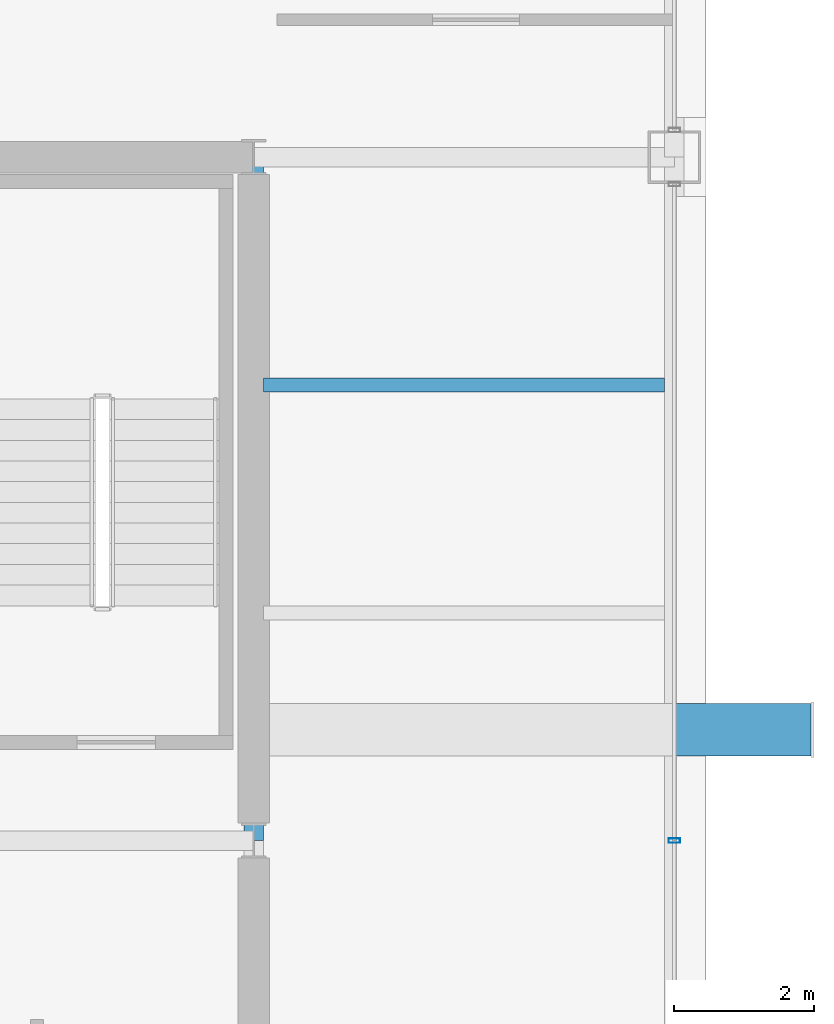
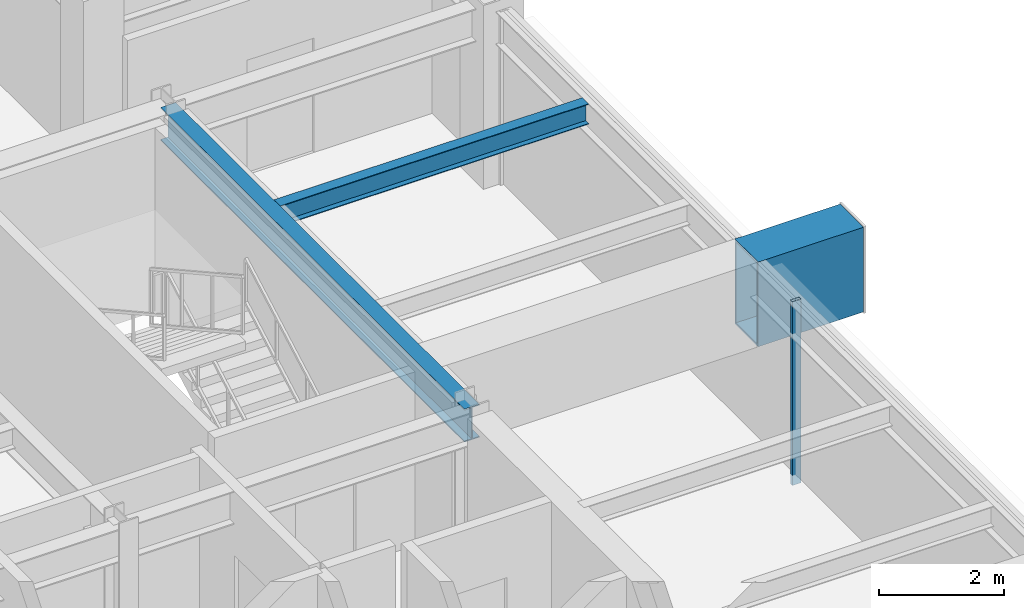
# One storey, part 15 of 26: 3 beams, 1 member, 1 element without a shape of its own.
"""IFC4 building model written with IfcOpenShell, lengths in metres."""

from ifc_helpers import new_model, si_unit, direction, frame, origin, origin_2d, place, context, subcontext, project, spatial, hollow_rectangle, i_section, extrude, material, layer, layer_set, material_profile, profile_set, type_object, element, aggregate, save


model = new_model("IFC4")

# Units and contexts
model_context = context("Model", 3, precision=1e-05, world=origin(), true_north=direction((0.0, 1.0)))
body_context = subcontext(model_context, "Body", "Model", "MODEL_VIEW")
ifc_project = project(units=[si_unit("LENGTHUNIT", "METRE"), si_unit("AREAUNIT", "SQUARE_METRE"), si_unit("VOLUMEUNIT", "CUBIC_METRE"), si_unit("PLANEANGLEUNIT", "RADIAN"), si_unit("MASSUNIT", "GRAM", prefix="KILO")], contexts=[model_context])

# Site, building, storey
site_placement = place(None, origin())
site = spatial("IfcSite", under=ifc_project, at=site_placement, CompositionType="ELEMENT")
building_placement = place(site_placement, origin())
building = spatial("IfcBuilding", under=site, at=building_placement, Name="Brelmoor Portico Tower", CompositionType="ELEMENT")
storey_placement = place(building_placement, frame((0.0, 0.0, 180.300048828125)))
storey = spatial("IfcBuildingStorey", under=building, at=storey_placement, Name="L47", CompositionType="ELEMENT", Elevation=180.300048828125)

# Beams
ifc_material_1 = material(Name="Steel Q355B", Category="steel")
ifc_material_profile_1 = material_profile(ifc_material_1, i_section(OverallWidth=0.199951171875, OverallDepth=0.39990234375, WebThickness=0.008056640625, FlangeThickness=0.012939453125, at=origin_2d()), Name="HN 400x200x8x13")
ifc_profile_set_1 = profile_set([ifc_material_profile_1], Name="Steel Q355B")
beam_type_1 = type_object("IfcBeamType", Name="BM-JS-400", PredefinedType="JOIST", material=ifc_profile_set_1)
beam_1_placement = place(storey_placement, frame((14.68994140625, 6.5, 3.199951171875), z_axis=(1.0, 0.0, 0.0), x_axis=(0.0, 1.0, 0.0)))
element("IfcBeam", 1, at=beam_1_placement, inside=storey, type_object=beam_type_1, Name="L47 Secondary Wing Joist JS-E12", PredefinedType="JOIST", context=body_context, shape_type="SweptSolid", body=[
    extrude(i_section(OverallWidth=0.199951171875, OverallDepth=0.39990234375, WebThickness=0.008056640625, FlangeThickness=0.012939453125, at=origin_2d()), origin(), (0.0, 0.0, 1.0), 5.719970703125),
])
ifc_material_profile_2 = material_profile(ifc_material_1, hollow_rectangle(XDim=0.75, YDim=1.659912109375, WallThickness=0.0419921875, at=origin_2d()), Name="BOX 750x1660x42")
ifc_profile_set_2 = profile_set([ifc_material_profile_2], Name="Steel Q355B")
beam_type_2 = type_object("IfcBeamType", Name="BM-PF-CANT", PredefinedType="BEAM", material=ifc_profile_set_2)
beam_2_placement = place(storey_placement, frame((20.550048828125, 1.580078125, 2.570068359375), z_axis=(1.0, 0.0, 0.0), x_axis=(0.0, 1.0, 0.0)))
element("IfcBeam", 2, at=beam_2_placement, inside=storey, type_object=beam_type_2, Name="L47 Picture-Frame Outrigger Transfer Cantilever PFB-02", PredefinedType="BEAM", context=body_context, shape_type="SweptSolid", body=[
    extrude(hollow_rectangle(XDim=0.75, YDim=1.659912109375, WallThickness=0.0419921875, at=origin_2d()), origin(), (0.0, 0.0, 1.0), 1.949951171875),
])
ifc_material_profile_3 = material_profile(ifc_material_1, i_section(OverallWidth=0.280029296875, OverallDepth=0.64990234375, WebThickness=0.012939453125, FlangeThickness=0.02197265625, at=origin_2d()), Name="HN 650x280x13x22")
ifc_profile_set_3 = profile_set([ifc_material_profile_3], Name="Steel Q355B")
beam_type_3 = type_object("IfcBeamType", Name="BM-PG-650", PredefinedType="BEAM", material=ifc_profile_set_3)
beam_3_placement = place(storey_placement, frame((14.550048828125, 0.0, 3.074951171875), z_axis=(0.0, 1.0, 0.0), x_axis=(-1.0, 0.0, 0.0)))
element("IfcBeam", 3, at=beam_3_placement, inside=storey, type_object=beam_type_3, Name="L47 Primary Floor Girder PG-10", PredefinedType="BEAM", context=body_context, shape_type="SweptSolid", body=[
    extrude(i_section(OverallWidth=0.280029296875, OverallDepth=0.64990234375, WebThickness=0.012939453125, FlangeThickness=0.02197265625, at=origin_2d()), origin(), (0.0, 0.0, 1.0), 9.75),
])

# Curtain wall, member
ifc_material_2 = material(Name="Anodised Aluminium Alloy 6063-T6", Category="aluminium")
ifc_layer = layer(ifc_material_2, 0.179931640625)
ifc_layer_set = layer_set([ifc_layer], Name="Anodised Aluminium Alloy 6063-T6")
curtain_wall_type = type_object("IfcCurtainWallType", Name="CW-TOWER-Z3-XB", PredefinedType="NOTDEFINED", material=ifc_layer_set)
curtain_wall_placement = place(storey_placement, origin())
curtain_wall = element("IfcCurtainWall", 4, at=curtain_wall_placement, inside=storey, type_object=curtain_wall_type, Name="L47 Curtain Wall CW-L47-04-2", PredefinedType="NOTDEFINED")
ifc_material_profile_4 = material_profile(ifc_material_2, hollow_rectangle(XDim=0.06494140625, YDim=0.1650390625, WallThickness=0.00390625, at=origin_2d()), Name="ALU MULLION 65x165")
ifc_profile_set_4 = profile_set([ifc_material_profile_4], Name="Anodised Aluminium Alloy 6063-T6")
member_type = type_object("IfcMemberType", Name="MB-CW-MULL-165", PredefinedType="MULLION", material=ifc_profile_set_4)
member_placement = place(storey_placement, frame((20.550048828125, 0.0, -0.199951171875), z_axis=(0.0, 0.0, 1.0), x_axis=(0.0, 1.0, 0.0)))
member = element("IfcMember", 5, at=member_placement, type_object=member_type, Name="CW-L47-04-2 Mullion 01", PredefinedType="MULLION", context=body_context, shape_type="SweptSolid", body=[
    extrude(hollow_rectangle(XDim=0.06494140625, YDim=0.1650390625, WallThickness=0.00390625, at=origin_2d()), origin(), (0.0, 0.0, 1.0), 3.599853515625),
])
aggregate(curtain_wall, [member])

save(model, "model.ifc")
